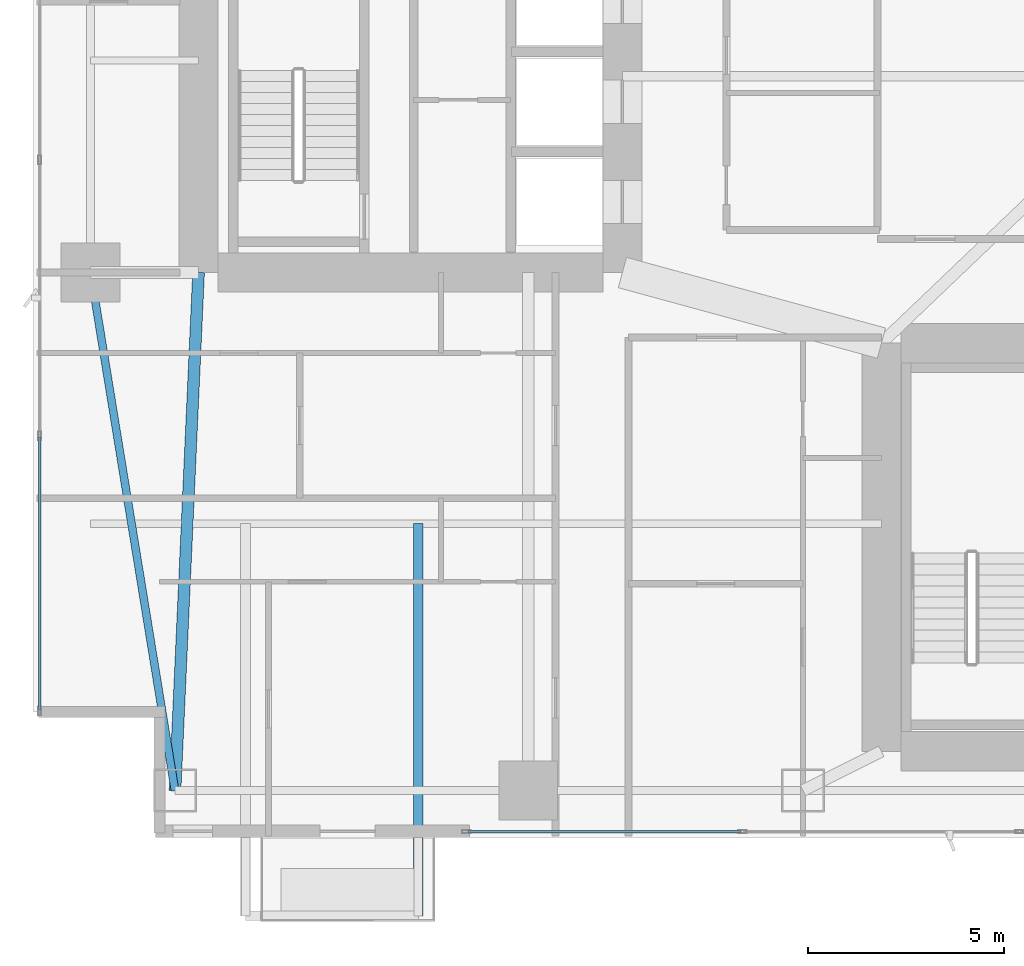
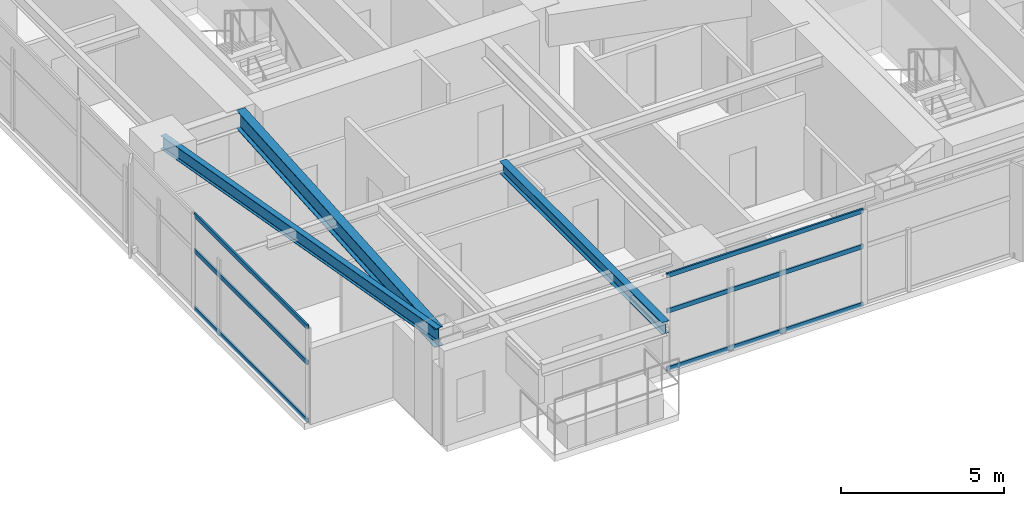
# One storey, part 3 of 29: 6 members, 3 beams, 2 elements without a shape of their own.
"""IFC4 building model written with IfcOpenShell, lengths in metres."""

from ifc_helpers import new_model, si_unit, direction, frame, origin, origin_2d, place, context, subcontext, project, spatial, hollow_rectangle, i_section, extrude, material, layer, layer_set, material_profile, profile_set, type_object, element, aggregate, save


model = new_model("IFC4")

# Units and contexts
model_context = context("Model", 3, precision=1e-05, world=origin(), true_north=direction((0.0, 1.0)))
body_context = subcontext(model_context, "Body", "Model", "MODEL_VIEW")
ifc_project = project(units=[si_unit("LENGTHUNIT", "METRE"), si_unit("AREAUNIT", "SQUARE_METRE"), si_unit("VOLUMEUNIT", "CUBIC_METRE"), si_unit("PLANEANGLEUNIT", "RADIAN"), si_unit("MASSUNIT", "GRAM", prefix="KILO")], contexts=[model_context])

# Site, building, storey
site_placement = place(None, origin())
site = spatial("IfcSite", under=ifc_project, at=site_placement, CompositionType="ELEMENT")
building_placement = place(site_placement, origin())
building = spatial("IfcBuilding", under=site, at=building_placement, Name="Calvorn Quay Hotel", CompositionType="ELEMENT")
storey_placement = place(building_placement, frame((0.0, 0.0, 85.0)))
storey = spatial("IfcBuildingStorey", under=building, at=storey_placement, Name="L20", CompositionType="ELEMENT", Elevation=85.0)

# Beams
ifc_material_1 = material(Name="Steel Q355B", Category="steel")
ifc_material_profile_1 = material_profile(ifc_material_1, i_section(OverallWidth=0.25, OverallDepth=0.449951171875, WebThickness=0.011962890625, FlangeThickness=0.01611328125, FilletRadius=0.01611328125, at=origin_2d()), Name="HN450x250x12x16")
ifc_profile_set_1 = profile_set([ifc_material_profile_1], Name="Steel Q355B")
beam_type_1 = type_object("IfcBeamType", Name="BM-CANT-BALC", PredefinedType="BEAM", material=ifc_profile_set_1)
beam_1_placement = place(storey_placement, frame((9.800048828125, 10.39990234375, 3.31494140625), z_axis=(0.0, -1.0, 0.0), x_axis=(1.0, 0.0, 0.0)))
element("IfcBeam", 1, at=beam_1_placement, inside=storey, type_object=beam_type_1, Name="Cantilever Balcony Beam BCB-L21-2B", PredefinedType="BEAM", context=body_context, shape_type="SweptSolid", body=[
    extrude(i_section(OverallWidth=0.25, OverallDepth=0.449951171875, WebThickness=0.011962890625, FlangeThickness=0.01611328125, FilletRadius=0.01611328125, at=origin_2d()), origin(), (0.0, 0.0, 1.0), 9.989990234375),
])
ifc_material_2 = material(Name="Steel Q390GJC", Category="steel")
ifc_material_profile_2 = material_profile(ifc_material_2, i_section(OverallWidth=0.300048828125, OverallDepth=0.699951171875, WebThickness=0.012939453125, FlangeThickness=0.02392578125, FilletRadius=0.02392578125, at=origin_2d()), Name="HN700x300x13x24")
ifc_profile_set_2 = profile_set([ifc_material_profile_2], Name="Steel Q390GJC")
beam_type_2 = type_object("IfcBeamType", Name="BM-GIRD-MAIN", PredefinedType="BEAM", material=ifc_profile_set_2)
beam_2_placement = place(storey_placement, frame((3.60009765625, 3.60009765625, 3.18994140625), z_axis=(0.045396765494, 0.998969035397, 0.0), x_axis=(-0.998969035397, 0.045396765494, 0.0)))
element("IfcBeam", 2, at=beam_2_placement, inside=storey, type_object=beam_type_2, Name="Beam BG-L20-W0", PredefinedType="BEAM", context=body_context, shape_type="SweptSolid", body=[
    extrude(i_section(OverallWidth=0.300048828125, OverallDepth=0.699951171875, WebThickness=0.012939453125, FlangeThickness=0.02392578125, FilletRadius=0.02392578125, at=origin_2d()), origin(), (0.0, 0.0, 1.0), 13.213623046875),
])
ifc_material_3 = material(Name="Steel Q355B", Category="steel")
ifc_material_profile_3 = material_profile(ifc_material_3, i_section(OverallWidth=0.199951171875, OverallDepth=0.5, WebThickness=0.010009765625, FlangeThickness=0.01611328125, FilletRadius=0.01611328125, at=origin_2d()), Name="HN500x200x10x16")
ifc_profile_set_3 = profile_set([ifc_material_profile_3], Name="Steel Q355B")
beam_type_3 = type_object("IfcBeamType", Name="BM-SPANDREL-Z1", PredefinedType="SPANDREL", material=ifc_profile_set_3)
beam_3_placement = place(storey_placement, frame((3.60009765625, 3.60009765625, 3.2900390625), z_axis=(-0.16077155054, 0.986991645627, 0.0), x_axis=(-0.986991645627, -0.16077155054, 0.0)))
element("IfcBeam", 3, at=beam_3_placement, inside=storey, type_object=beam_type_3, Name="Beam BSP-L20-W1", PredefinedType="SPANDREL", context=body_context, shape_type="SweptSolid", body=[
    extrude(i_section(OverallWidth=0.199951171875, OverallDepth=0.5, WebThickness=0.010009765625, FlangeThickness=0.01611328125, FilletRadius=0.01611328125, at=origin_2d()), origin(), (0.0, 0.0, 1.0), 13.3740234375),
])

# Curtain wall, members
ifc_material_4 = material(Name="Pale Anodised Aluminium and Low-E Glass", Category="aluminium")
ifc_layer = layer(ifc_material_4, 0.219970703125)
ifc_layer_set = layer_set([ifc_layer], Name="CW-SYS-Z1")
curtain_wall_type = type_object("IfcCurtainWallType", Name="CW-SYS-Z1", PredefinedType="NOTDEFINED", material=ifc_layer_set)
curtain_wall_1_placement = place(storey_placement, origin())
curtain_wall_1 = element("IfcCurtainWall", 4, at=curtain_wall_1_placement, inside=storey, type_object=curtain_wall_type, Name="Tower West Curtain Wall (L20)", PredefinedType="NOTDEFINED")
ifc_material_5 = material(Name="Pale Anodised Aluminium 6063-T6", Category="aluminium")
ifc_material_profile_4 = material_profile(ifc_material_5, hollow_rectangle(XDim=0.06494140625, YDim=0.1650390625, WallThickness=0.00341796875, at=origin_2d()), Name="ALU-T165x65x3.5")
ifc_profile_set_4 = profile_set([ifc_material_profile_4], Name="Pale Anodised Aluminium 6063-T6")
member_type = type_object("IfcMemberType", Name="CW-SYS-Z1-TRN", PredefinedType="USERDEFINED", material=ifc_profile_set_4)
member_1_placement = place(storey_placement, frame((0.14990234375, 5.659912109375, 0.030029296875), z_axis=(0.0, 1.0, 0.0), x_axis=(-1.0, 0.0, 0.0)))
member_1 = element("IfcMember", 5, at=member_1_placement, type_object=member_type, Name="CW-L20-W transom 1.1", ObjectType="TRANSOM", PredefinedType="USERDEFINED", context=body_context, shape_type="SweptSolid", body=[
    extrude(hollow_rectangle(XDim=0.06494140625, YDim=0.1650390625, WallThickness=0.00341796875, at=origin_2d()), origin(), (0.0, 0.0, 1.0), 6.943359375),
])
member_2_placement = place(storey_placement, frame((0.14990234375, 5.659912109375, 2.199951171875), z_axis=(0.0, 1.0, 0.0), x_axis=(-1.0, 0.0, 0.0)))
member_2 = element("IfcMember", 6, at=member_2_placement, type_object=member_type, Name="CW-L20-W transom 1.2", ObjectType="TRANSOM", PredefinedType="USERDEFINED", context=body_context, shape_type="SweptSolid", body=[
    extrude(hollow_rectangle(XDim=0.06494140625, YDim=0.1650390625, WallThickness=0.00341796875, at=origin_2d()), origin(), (0.0, 0.0, 1.0), 6.943359375),
])
member_3_placement = place(storey_placement, frame((0.14990234375, 5.659912109375, 3.530029296875), z_axis=(0.0, 1.0, 0.0), x_axis=(-1.0, 0.0, 0.0)))
member_3 = element("IfcMember", 7, at=member_3_placement, type_object=member_type, Name="CW-L20-W transom 1.3", ObjectType="TRANSOM", PredefinedType="USERDEFINED", context=body_context, shape_type="SweptSolid", body=[
    extrude(hollow_rectangle(XDim=0.06494140625, YDim=0.1650390625, WallThickness=0.00341796875, at=origin_2d()), origin(), (0.0, 0.0, 1.0), 6.943359375),
])
aggregate(curtain_wall_1, [member_1, member_2, member_3])

curtain_wall_2_placement = place(storey_placement, origin())
curtain_wall_2 = element("IfcCurtainWall", 8, at=curtain_wall_2_placement, inside=storey, type_object=curtain_wall_type, Name="Tower South Waterfront Curtain Wall (L20)", PredefinedType="NOTDEFINED")
member_4_placement = place(storey_placement, frame((11.06005859375, 2.550048828125, 0.030029296875), z_axis=(1.0, 0.0, 0.0), x_axis=(0.0, 1.0, 0.0)))
member_4 = element("IfcMember", 9, at=member_4_placement, type_object=member_type, Name="CW-L20-S transom 1.1", ObjectType="TRANSOM", PredefinedType="USERDEFINED", context=body_context, shape_type="SweptSolid", body=[
    extrude(hollow_rectangle(XDim=0.06494140625, YDim=0.1650390625, WallThickness=0.00341796875, at=origin_2d()), origin(), (0.0, 0.0, 1.0), 6.967041015625),
])
member_5_placement = place(storey_placement, frame((11.06005859375, 2.550048828125, 2.199951171875), z_axis=(1.0, 0.0, 0.0), x_axis=(0.0, 1.0, 0.0)))
member_5 = element("IfcMember", 10, at=member_5_placement, type_object=member_type, Name="CW-L20-S transom 1.2", ObjectType="TRANSOM", PredefinedType="USERDEFINED", context=body_context, shape_type="SweptSolid", body=[
    extrude(hollow_rectangle(XDim=0.06494140625, YDim=0.1650390625, WallThickness=0.00341796875, at=origin_2d()), origin(), (0.0, 0.0, 1.0), 6.967041015625),
])
member_6_placement = place(storey_placement, frame((11.06005859375, 2.550048828125, 3.530029296875), z_axis=(1.0, 0.0, 0.0), x_axis=(0.0, 1.0, 0.0)))
member_6 = element("IfcMember", 11, at=member_6_placement, type_object=member_type, Name="CW-L20-S transom 1.3", ObjectType="TRANSOM", PredefinedType="USERDEFINED", context=body_context, shape_type="SweptSolid", body=[
    extrude(hollow_rectangle(XDim=0.06494140625, YDim=0.1650390625, WallThickness=0.00341796875, at=origin_2d()), origin(), (0.0, 0.0, 1.0), 6.967041015625),
])
aggregate(curtain_wall_2, [member_4, member_5, member_6])

save(model, "model.ifc")
